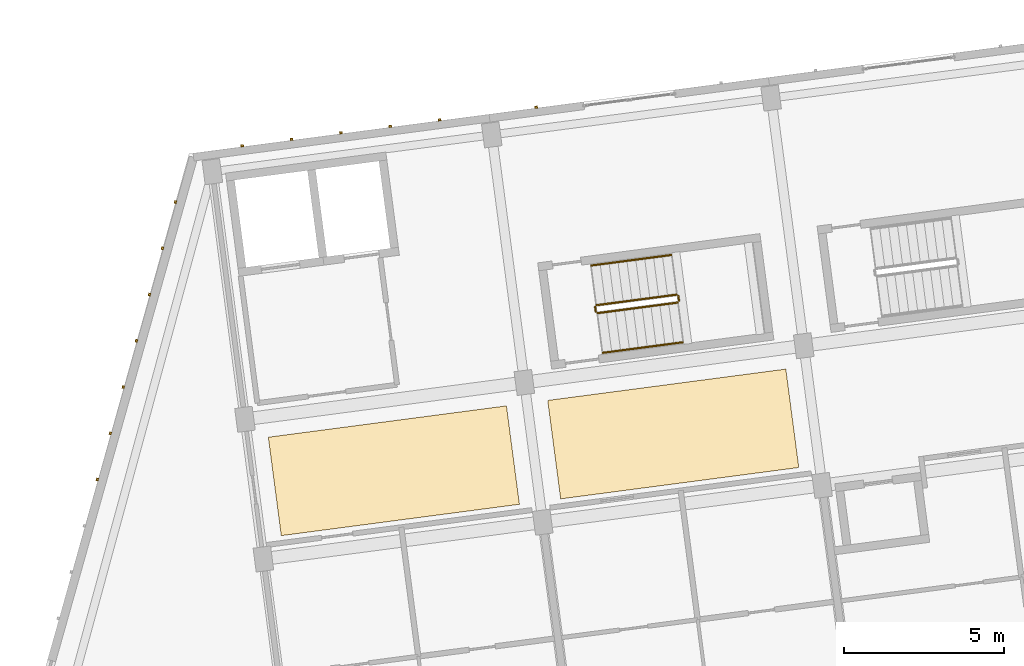
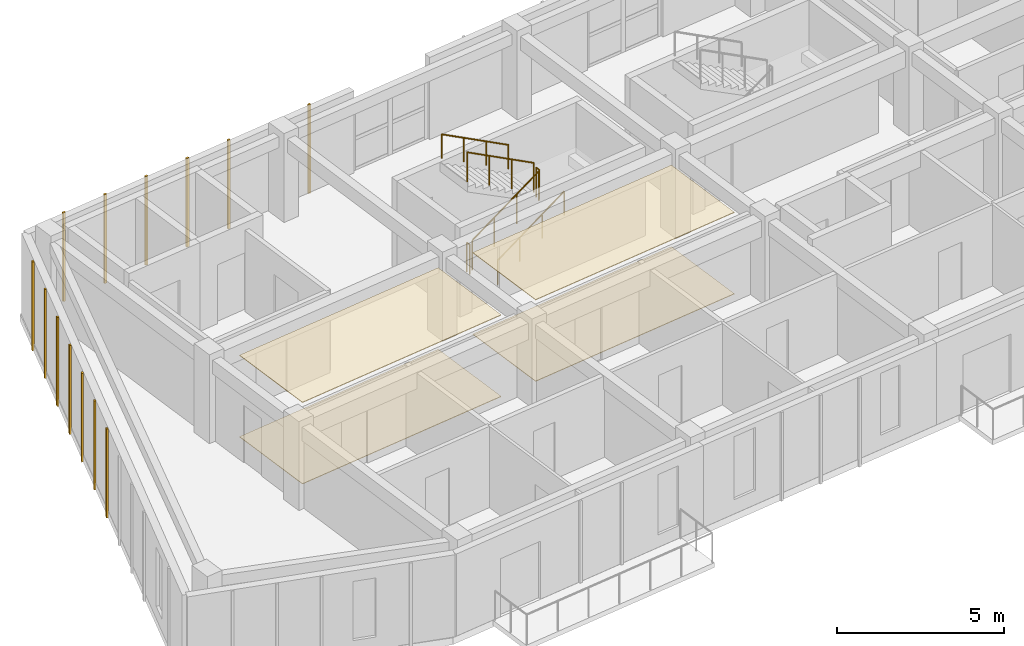
# One storey, part 44 of 66: 17 coverings, 6 railings.
"""IFC4 building model written with IfcOpenShell, lengths in metres."""

from ifc_helpers import new_model, si_unit, direction, frame, origin, origin_2d, place, context, subcontext, project, spatial, polyline, rectangle, circle, outline, extrude, material, layer, layer_set, type_object, element, save


model = new_model("IFC4")

# Units and contexts
model_context = context("Model", 3, precision=1e-05, world=origin(), true_north=direction((0.0, 1.0)))
body_context = subcontext(model_context, "Body", "Model", "MODEL_VIEW")
ifc_project = project(units=[si_unit("LENGTHUNIT", "METRE"), si_unit("AREAUNIT", "SQUARE_METRE"), si_unit("VOLUMEUNIT", "CUBIC_METRE"), si_unit("PLANEANGLEUNIT", "RADIAN"), si_unit("MASSUNIT", "GRAM", prefix="KILO")], contexts=[model_context])

# Site, building, storey
site_placement = place(None, origin())
site = spatial("IfcSite", under=ifc_project, at=site_placement, CompositionType="ELEMENT")
building_placement = place(site_placement, origin())
building = spatial("IfcBuilding", under=site, at=building_placement, Name="Kestramere Prow Commons", CompositionType="ELEMENT")
storey_placement = place(building_placement, frame((0.0, 0.0, 14.89990234375)))
storey = spatial("IfcBuildingStorey", under=building, at=storey_placement, Name="L04", CompositionType="ELEMENT", Elevation=14.89990234375)

# Coverings
ifc_material_1 = material(Name="Mineral Fibre Acoustic Ceiling Tile")
ifc_layer_1 = layer(ifc_material_1, 0.02490234375)
ifc_layer_set_1 = layer_set([ifc_layer_1], Name="Mineral Fibre Acoustic Ceiling Tile")
covering_type_1 = type_object("IfcCoveringType", Name="COV-CEIL-ACOUSTIC", PredefinedType="CEILING", material=ifc_layer_set_1)
covering_1_placement = place(storey_placement, frame((0.0, 0.0, 2.97509765625)))
element("IfcCovering", 1, at=covering_1_placement, inside=storey, type_object=covering_type_1, Name="Block A L04 Corridor Acoustic Ceiling 1", PredefinedType="CEILING", context=body_context, shape_type="SweptSolid", body=[
    extrude(outline(polyline([(10.741455078125, 80.462646484375), (18.17724609375, 81.44140625), (17.772705078125, 84.514892578125), (10.3369140625, 83.5361328125), (10.741455078125, 80.462646484375)])), origin(), (0.0, 0.0, 1.0), 0.02490234375),
])
covering_2_placement = place(storey_placement, frame((0.0, 0.0, 2.97509765625)))
element("IfcCovering", 2, at=covering_2_placement, inside=storey, type_object=covering_type_1, Name="Block A L04 Corridor Acoustic Ceiling 2", PredefinedType="CEILING", context=body_context, shape_type="SweptSolid", body=[
    extrude(outline(polyline([(19.46630859375, 81.611083984375), (26.902099609375, 82.590087890625), (26.497314453125, 85.66357421875), (19.0615234375, 84.6845703125), (19.46630859375, 81.611083984375)])), origin(), (0.0, 0.0, 1.0), 0.02490234375),
])
ifc_material_2 = material(Name="Weathered Zinc-Titanium Standing-Seam Cladding")
ifc_layer_2 = layer(ifc_material_2, 0.074951171875)
ifc_layer_set_2 = layer_set([ifc_layer_2], Name="Weathered Zinc-Titanium Standing-Seam Cladding")
covering_type_2 = type_object("IfcCoveringType", Name="COV-CLAD-SEAM", PredefinedType="CLADDING", material=ifc_layer_set_2)
for number, where, z_axis, x_axis, name in (
    (3, (9.521484375, 92.635009765625, -0.25), (0.0, 0.0, 1.0), (0.991444861374, 0.13052619222, 0.0), "EW-A-L04-N-0 Standing-Seam Rib 1"),
    (4, (11.062255859375, 92.837890625, -0.25), (0.0, 0.0, 1.0), (0.991444861374, 0.13052619222, 0.0), "EW-A-L04-N-0 Standing-Seam Rib 2"),
    (5, (12.603271484375, 93.040771484375, -0.25), (0.0, 0.0, 1.0), (0.991444861374, 0.13052619222, 0.0), "EW-A-L04-N-0 Standing-Seam Rib 3"),
    (6, (14.14404296875, 93.243408203125, -0.25), (0.0, 0.0, 1.0), (0.991444861374, 0.13052619222, 0.0), "EW-A-L04-N-0 Standing-Seam Rib 4"),
    (7, (15.684814453125, 93.4462890625, -0.25), (0.0, 0.0, 1.0), (0.991444861374, 0.13052619222, 0.0), "EW-A-L04-N-0 Standing-Seam Rib 5"),
    (8, (18.700439453125, 93.843505859375, -0.25), (0.0, 0.0, 1.0), (0.991444861374, 0.13052619222, 0.0), "EW-A-L04-NP-1-L Standing-Seam Rib 1"),
    (9, (4.995849609375, 82.21484375, -0.25), (0.0, 0.0, 1.0), (0.271159911526, 0.962534312314, 0.0), "EW-A-L04-PRW-N Standing-Seam Rib 6"),
    (10, (5.40283203125, 83.6591796875, -0.25), (0.0, 0.0, 1.0), (0.271159911526, 0.962534312314, 0.0), "EW-A-L04-PRW-N Standing-Seam Rib 7"),
    (11, (5.8095703125, 85.103271484375, -0.25), (0.0, 0.0, 1.0), (0.271159911526, 0.962534312314, 0.0), "EW-A-L04-PRW-N Standing-Seam Rib 8"),
    (12, (6.216552734375, 86.547607421875, -0.25), (0.0, 0.0, 1.0), (0.271159911526, 0.962534312314, 0.0), "EW-A-L04-PRW-N Standing-Seam Rib 9"),
    (13, (6.623291015625, 87.991943359375, -0.25), (0.0, 0.0, 1.0), (0.271159911526, 0.962534312314, 0.0), "EW-A-L04-PRW-N Standing-Seam Rib 10"),
    (14, (7.0302734375, 89.436279296875, -0.25), (0.0, 0.0, 1.0), (0.271159911526, 0.962534312314, 0.0), "EW-A-L04-PRW-N Standing-Seam Rib 11"),
    (15, (7.437255859375, 90.880615234375, -0.25), (0.0, 0.0, 1.0), (0.271159911526, 0.962534312314, 0.0), "EW-A-L04-PRW-N Standing-Seam Rib 12"),
):
    element("IfcCovering", number, at=place(storey_placement, frame(where, z_axis=z_axis, x_axis=x_axis)), inside=storey, type_object=covering_type_2, Name=name, PredefinedType="CLADDING", context=body_context, shape_type="SweptSolid", body=[
        extrude(rectangle(XDim=0.0849609375, YDim=0.06494140625, at=origin_2d()), origin(), (0.0, 0.0, 1.0), 3.25),
    ])
ifc_material_3 = material(Name="Honed Cementitious Terrazzo Tile")
ifc_layer_3 = layer(ifc_material_3, 0.02001953125)
ifc_layer_set_3 = layer_set([ifc_layer_3], Name="Honed Cementitious Terrazzo Tile")
covering_type_3 = type_object("IfcCoveringType", Name="COV-FLOOR-TERRAZZO", PredefinedType="FLOORING", material=ifc_layer_set_3)
covering_3_placement = place(storey_placement, origin())
element("IfcCovering", 16, at=covering_3_placement, inside=storey, type_object=covering_type_3, Name="Block A L04 Corridor Terrazzo Flooring 1", PredefinedType="FLOORING", context=body_context, shape_type="SweptSolid", body=[
    extrude(outline(polyline([(10.741455078125, 80.462646484375), (18.17724609375, 81.44140625), (17.772705078125, 84.514892578125), (10.3369140625, 83.5361328125), (10.741455078125, 80.462646484375)])), origin(), (0.0, 0.0, 1.0), 0.02001953125),
])
covering_4_placement = place(storey_placement, origin())
element("IfcCovering", 17, at=covering_4_placement, inside=storey, type_object=covering_type_3, Name="Block A L04 Corridor Terrazzo Flooring 2", PredefinedType="FLOORING", context=body_context, shape_type="SweptSolid", body=[
    extrude(outline(polyline([(19.46630859375, 81.611083984375), (26.902099609375, 82.590087890625), (26.497314453125, 85.66357421875), (19.0615234375, 84.6845703125), (19.46630859375, 81.611083984375)])), origin(), (0.0, 0.0, 1.0), 0.02001953125),
])

# Railings
ifc_material_4 = material(Name="Galvanised Steel S275JR", Category="steel")
railing_type_1 = type_object("IfcRailingType", Name="RL-ST-GR-1100", PredefinedType="GUARDRAIL", material=ifc_material_4)
railing_1_placement = place(storey_placement, frame((20.618896484375, 87.411376953125, 0.16259765625)))
element("IfcRailing", 18, at=railing_1_placement, inside=storey, type_object=railing_type_1, Name="L04 ST-A1 stair guard 1", PredefinedType="GUARDRAIL", context=body_context, shape_type="SweptSolid", body=[
    extrude(circle(Radius=0.02392578125, at=origin_2d()), frame((0.0, 0.0, 1.076171875), z_axis=(0.85752303711, 0.112867259233, 0.501911568525), x_axis=(-0.130494608992, 0.991449018873, 0.0)), (0.0, 0.0, 1.0), 2.91357421875),
    extrude(circle(Radius=0.02099609375, at=origin_2d()), origin(), (0.0, 0.0, 1.0), 1.052001953125),
    extrude(circle(Radius=0.02099609375, at=origin_2d()), frame((0.832763671875, 0.109619140625, 0.487548828125)), (0.0, 0.0, 1.0), 1.052001953125),
    extrude(circle(Radius=0.02099609375, at=origin_2d()), frame((1.665771484375, 0.21923828125, 0.974853515625)), (0.0, 0.0, 1.0), 1.052001953125),
    extrude(circle(Radius=0.02099609375, at=origin_2d()), frame((2.49853515625, 0.328857421875, 1.46240234375)), (0.0, 0.0, 1.0), 1.052001953125),
])
railing_2_placement = place(storey_placement, frame((23.160400390625, 87.79638671875, 1.625)))
element("IfcRailing", 19, at=railing_2_placement, inside=storey, type_object=railing_type_1, Name="L04 ST-A1 stair guard 2", PredefinedType="GUARDRAIL", context=body_context, shape_type="SweptSolid", body=[
    extrude(circle(Radius=0.02392578125, at=origin_2d()), frame((0.0, 0.0, 1.076171875), z_axis=(-0.130243938252, 0.991481979941, 0.0), x_axis=(-0.991481979941, -0.130243938252, 0.0)), (0.0, 0.0, 1.0), 0.14990234375),
    extrude(circle(Radius=0.02099609375, at=origin_2d()), origin(), (0.0, 0.0, 1.0), 1.052001953125),
    extrude(circle(Radius=0.02099609375, at=origin_2d()), frame((-0.01953125, 0.148681640625, 0.0)), (0.0, 0.0, 1.0), 1.052001953125),
])
railing_3_placement = place(storey_placement, frame((23.084716796875, 87.988037109375, 1.78759765625)))
element("IfcRailing", 20, at=railing_3_placement, inside=storey, type_object=railing_type_1, Name="L04 ST-A1 stair guard 3", PredefinedType="GUARDRAIL", context=body_context, shape_type="SweptSolid", body=[
    extrude(circle(Radius=0.02392578125, at=origin_2d()), frame((0.0, 0.0, 1.076171875), z_axis=(-0.857500858922, -0.112875369585, 0.501947634608), x_axis=(0.130507144135, -0.991447368916, 0.0)), (0.0, 0.0, 1.0), 2.91357421875),
    extrude(circle(Radius=0.02099609375, at=origin_2d()), origin(), (0.0, 0.0, 1.0), 1.052001953125),
    extrude(circle(Radius=0.02099609375, at=origin_2d()), frame((-0.832763671875, -0.109619140625, 0.487548828125)), (0.0, 0.0, 1.0), 1.052001953125),
    extrude(circle(Radius=0.02099609375, at=origin_2d()), frame((-1.66552734375, -0.21923828125, 0.974853515625)), (0.0, 0.0, 1.0), 1.052001953125),
    extrude(circle(Radius=0.02099609375, at=origin_2d()), frame((-2.498291015625, -0.328857421875, 1.46240234375)), (0.0, 0.0, 1.0), 1.052001953125),
])
railing_4_placement = place(storey_placement, frame((20.56298828125, 87.454345703125, 0.0)))
element("IfcRailing", 21, at=railing_4_placement, inside=storey, type_object=railing_type_1, Name="L04 ST-A1 stair guard 4", PredefinedType="GUARDRAIL", context=body_context, shape_type="SweptSolid", body=[
    extrude(circle(Radius=0.02392578125, at=origin_2d()), frame((0.0, 0.0, 1.076171875), z_axis=(-0.131843859112, 0.99127049629, 0.0), x_axis=(-0.99127049629, -0.131843859112, 0.0)), (0.0, 0.0, 1.0), 0.14990234375),
    extrude(circle(Radius=0.02099609375, at=origin_2d()), origin(), (0.0, 0.0, 1.0), 1.052001953125),
    extrude(circle(Radius=0.02099609375, at=origin_2d()), frame((-0.019775390625, 0.148681640625, 0.0)), (0.0, 0.0, 1.0), 1.052001953125),
])
ifc_material_5 = material(Name="Stainless Steel 304", Category="steel")
railing_type_2 = type_object("IfcRailingType", Name="RL-ST-HR-900", PredefinedType="HANDRAIL", material=ifc_material_5)
railing_5_placement = place(storey_placement, frame((20.7822265625, 86.171875, 0.3251953125)))
element("IfcRailing", 22, at=railing_5_placement, inside=storey, type_object=railing_type_2, Name="L04 ST-A1 stair handrail 1", PredefinedType="HANDRAIL", context=body_context, shape_type="SweptSolid", body=[
    extrude(circle(Radius=0.02392578125, at=origin_2d()), frame((0.0, 0.0, 0.8759765625), z_axis=(0.857492745196, 0.112958098361, 0.501942885148), x_axis=(-0.130602379397, 0.991434828164, 0.0)), (0.0, 0.0, 1.0), 2.91357421875),
    extrude(circle(Radius=0.02099609375, at=origin_2d()), origin(), (0.0, 0.0, 1.0), 0.851806640625),
    extrude(circle(Radius=0.02099609375, at=origin_2d()), frame((0.832763671875, 0.109619140625, 0.487548828125)), (0.0, 0.0, 1.0), 0.851806640625),
    extrude(circle(Radius=0.02099609375, at=origin_2d()), frame((1.66552734375, 0.219482421875, 0.974853515625)), (0.0, 0.0, 1.0), 0.851806640625),
    extrude(circle(Radius=0.02099609375, at=origin_2d()), frame((2.498291015625, 0.3291015625, 1.46240234375)), (0.0, 0.0, 1.0), 0.851806640625),
])
railing_6_placement = place(storey_placement, frame((22.921630859375, 89.227294921875, 1.9501953125)))
element("IfcRailing", 23, at=railing_6_placement, inside=storey, type_object=railing_type_2, Name="L04 ST-A1 stair handrail 2", PredefinedType="HANDRAIL", context=body_context, shape_type="SweptSolid", body=[
    extrude(circle(Radius=0.02392578125, at=origin_2d()), frame((0.0, 0.0, 0.8759765625), z_axis=(-0.85752303711, -0.112867259233, 0.501911568525), x_axis=(0.130494608992, -0.991449018873, 0.0)), (0.0, 0.0, 1.0), 2.91357421875),
    extrude(circle(Radius=0.02099609375, at=origin_2d()), origin(), (0.0, 0.0, 1.0), 0.851806640625),
    extrude(circle(Radius=0.02099609375, at=origin_2d()), frame((-0.832763671875, -0.109619140625, 0.487548828125)), (0.0, 0.0, 1.0), 0.851806640625),
    extrude(circle(Radius=0.02099609375, at=origin_2d()), frame((-1.665771484375, -0.21923828125, 0.974853515625)), (0.0, 0.0, 1.0), 0.851806640625),
    extrude(circle(Radius=0.02099609375, at=origin_2d()), frame((-2.49853515625, -0.328857421875, 1.46240234375)), (0.0, 0.0, 1.0), 0.851806640625),
])

save(model, "model.ifc")
